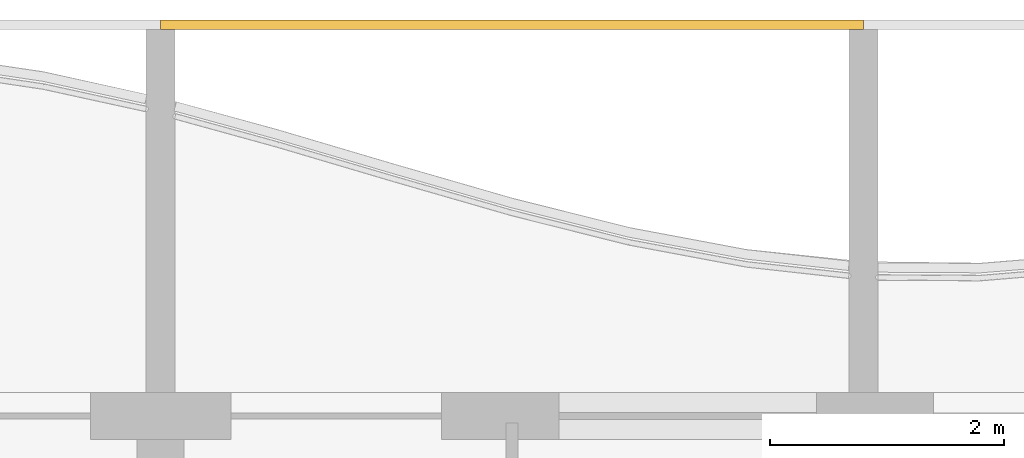
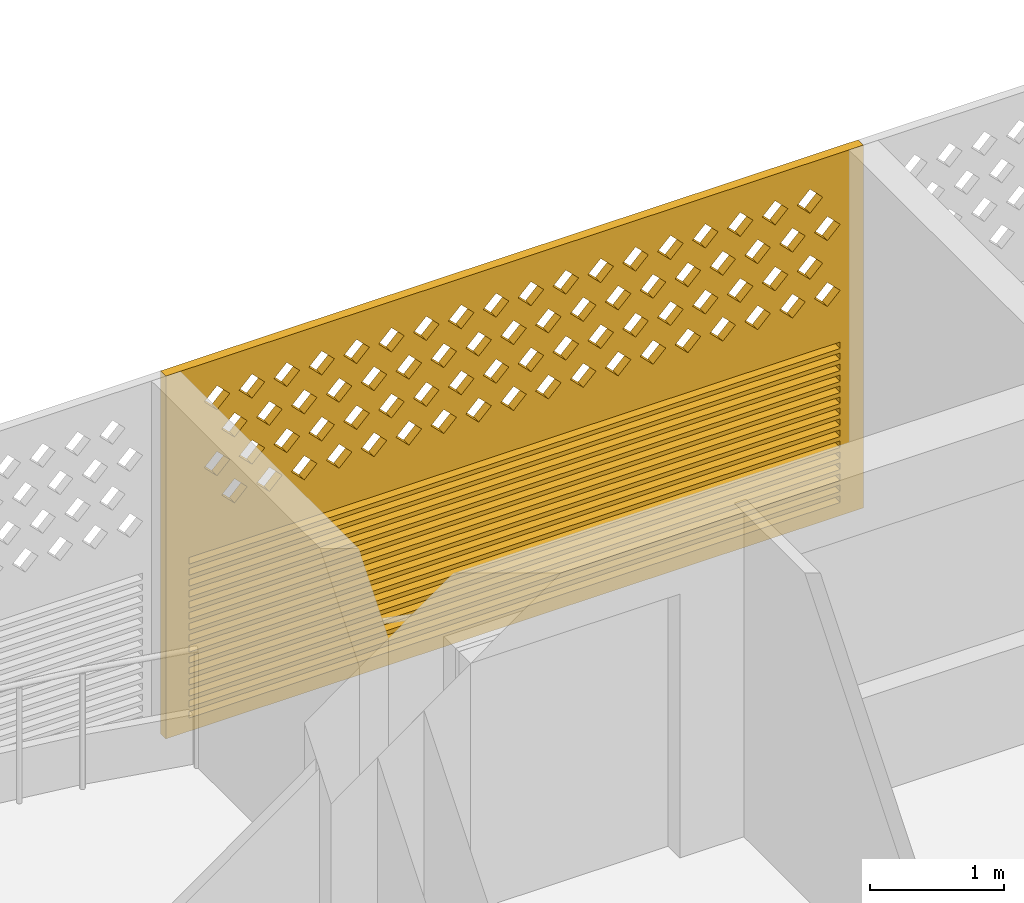
# One storey, part 32 of 39: 1 covering.
"""IFC4 building model written with IfcOpenShell, lengths in metres."""

from ifc_helpers import new_model, si_unit, direction, frame, origin, place, context, subcontext, project, spatial, polyline, outline, extrude, source, transform, mapped, material, material_profile, profile_set, type_object, element, save


model = new_model("IFC4")

# Units and contexts
model_context = context("Model", 3, precision=1e-05, world=origin(), true_north=direction((0.0, 1.0)))
body_context = subcontext(model_context, "Body", "Model", "MODEL_VIEW")
ifc_project = project(units=[si_unit("LENGTHUNIT", "METRE"), si_unit("AREAUNIT", "SQUARE_METRE"), si_unit("VOLUMEUNIT", "CUBIC_METRE"), si_unit("PLANEANGLEUNIT", "RADIAN"), si_unit("MASSUNIT", "GRAM", prefix="KILO")], contexts=[model_context])

# Site, building, storey
site_placement = place(None, origin())
site = spatial("IfcSite", under=ifc_project, at=site_placement, CompositionType="ELEMENT")
building_placement = place(site_placement, origin())
building = spatial("IfcBuilding", under=site, at=building_placement, Name="Poui Terraces", CompositionType="ELEMENT")
storey_placement = place(building_placement, frame((0.0, 0.0, 63.0)))
storey = spatial("IfcBuildingStorey", under=building, at=storey_placement, Name="L17", CompositionType="ELEMENT", Elevation=63.0)

# Covering
ifc_material = material(Name="Terracotta screen", Category="masonry")
ifc_material_profile = material_profile(ifc_material, outline(polyline([(-3.0, -1.64990234375), (3.0, -1.64990234375), (3.0, 1.64990234375), (-3.0, 1.64990234375), (-3.0, -1.64990234375)]), holes=[polyline([(-2.800048828125, 0.39990234375), (-2.68994140625, 0.2900390625), (-2.580078125, 0.39990234375), (-2.68994140625, 0.510009765625), (-2.800048828125, 0.39990234375)]), polyline([(-2.5, 0.39990234375), (-2.389892578125, 0.2900390625), (-2.280029296875, 0.39990234375), (-2.389892578125, 0.510009765625), (-2.5, 0.39990234375)]), polyline([(-2.199951171875, 0.39990234375), (-2.090087890625, 0.2900390625), (-1.97998046875, 0.39990234375), (-2.090087890625, 0.510009765625), (-2.199951171875, 0.39990234375)]), polyline([(-1.89990234375, 0.39990234375), (-1.7900390625, 0.2900390625), (-1.679931640625, 0.39990234375), (-1.7900390625, 0.510009765625), (-1.89990234375, 0.39990234375)]), polyline([(-1.60009765625, 0.39990234375), (-1.489990234375, 0.2900390625), (-1.3798828125, 0.39990234375), (-1.489990234375, 0.510009765625), (-1.60009765625, 0.39990234375)]), polyline([(-1.300048828125, 0.39990234375), (-1.18994140625, 0.2900390625), (-1.080078125, 0.39990234375), (-1.18994140625, 0.510009765625), (-1.300048828125, 0.39990234375)]), polyline([(-1.0, 0.39990234375), (-0.889892578125, 0.2900390625), (-0.780029296875, 0.39990234375), (-0.889892578125, 0.510009765625), (-1.0, 0.39990234375)]), polyline([(-0.699951171875, 0.39990234375), (-0.590087890625, 0.2900390625), (-0.47998046875, 0.39990234375), (-0.590087890625, 0.510009765625), (-0.699951171875, 0.39990234375)]), polyline([(-0.39990234375, 0.39990234375), (-0.2900390625, 0.2900390625), (-0.179931640625, 0.39990234375), (-0.2900390625, 0.510009765625), (-0.39990234375, 0.39990234375)]), polyline([(-0.10009765625, 0.39990234375), (0.010009765625, 0.2900390625), (0.1201171875, 0.39990234375), (0.010009765625, 0.510009765625), (-0.10009765625, 0.39990234375)]), polyline([(0.199951171875, 0.39990234375), (0.31005859375, 0.2900390625), (0.419921875, 0.39990234375), (0.31005859375, 0.510009765625), (0.199951171875, 0.39990234375)]), polyline([(0.5, 0.39990234375), (0.610107421875, 0.2900390625), (0.719970703125, 0.39990234375), (0.610107421875, 0.510009765625), (0.5, 0.39990234375)]), polyline([(0.800048828125, 0.39990234375), (0.909912109375, 0.2900390625), (1.02001953125, 0.39990234375), (0.909912109375, 0.510009765625), (0.800048828125, 0.39990234375)]), polyline([(1.10009765625, 0.39990234375), (1.2099609375, 0.2900390625), (1.320068359375, 0.39990234375), (1.2099609375, 0.510009765625), (1.10009765625, 0.39990234375)]), polyline([(1.39990234375, 0.39990234375), (1.510009765625, 0.2900390625), (1.6201171875, 0.39990234375), (1.510009765625, 0.510009765625), (1.39990234375, 0.39990234375)]), polyline([(1.699951171875, 0.39990234375), (1.81005859375, 0.2900390625), (1.919921875, 0.39990234375), (1.81005859375, 0.510009765625), (1.699951171875, 0.39990234375)]), polyline([(2.0, 0.39990234375), (2.110107421875, 0.2900390625), (2.219970703125, 0.39990234375), (2.110107421875, 0.510009765625), (2.0, 0.39990234375)]), polyline([(2.300048828125, 0.39990234375), (2.409912109375, 0.2900390625), (2.52001953125, 0.39990234375), (2.409912109375, 0.510009765625), (2.300048828125, 0.39990234375)]), polyline([(-2.64990234375, 0.699951171875), (-2.5400390625, 0.590087890625), (-2.429931640625, 0.699951171875), (-2.5400390625, 0.81005859375), (-2.64990234375, 0.699951171875)]), polyline([(-2.35009765625, 0.699951171875), (-2.239990234375, 0.590087890625), (-2.1298828125, 0.699951171875), (-2.239990234375, 0.81005859375), (-2.35009765625, 0.699951171875)]), polyline([(-2.050048828125, 0.699951171875), (-1.93994140625, 0.590087890625), (-1.830078125, 0.699951171875), (-1.93994140625, 0.81005859375), (-2.050048828125, 0.699951171875)]), polyline([(-1.75, 0.699951171875), (-1.639892578125, 0.590087890625), (-1.530029296875, 0.699951171875), (-1.639892578125, 0.81005859375), (-1.75, 0.699951171875)]), polyline([(-1.449951171875, 0.699951171875), (-1.340087890625, 0.590087890625), (-1.22998046875, 0.699951171875), (-1.340087890625, 0.81005859375), (-1.449951171875, 0.699951171875)]), polyline([(-1.14990234375, 0.699951171875), (-1.0400390625, 0.590087890625), (-0.929931640625, 0.699951171875), (-1.0400390625, 0.81005859375), (-1.14990234375, 0.699951171875)]), polyline([(-0.85009765625, 0.699951171875), (-0.739990234375, 0.590087890625), (-0.6298828125, 0.699951171875), (-0.739990234375, 0.81005859375), (-0.85009765625, 0.699951171875)]), polyline([(-0.550048828125, 0.699951171875), (-0.43994140625, 0.590087890625), (-0.330078125, 0.699951171875), (-0.43994140625, 0.81005859375), (-0.550048828125, 0.699951171875)]), polyline([(-0.25, 0.699951171875), (-0.139892578125, 0.590087890625), (-0.030029296875, 0.699951171875), (-0.139892578125, 0.81005859375), (-0.25, 0.699951171875)]), polyline([(0.050048828125, 0.699951171875), (0.159912109375, 0.590087890625), (0.27001953125, 0.699951171875), (0.159912109375, 0.81005859375), (0.050048828125, 0.699951171875)]), polyline([(0.35009765625, 0.699951171875), (0.4599609375, 0.590087890625), (0.570068359375, 0.699951171875), (0.4599609375, 0.81005859375), (0.35009765625, 0.699951171875)]), polyline([(0.64990234375, 0.699951171875), (0.760009765625, 0.590087890625), (0.8701171875, 0.699951171875), (0.760009765625, 0.81005859375), (0.64990234375, 0.699951171875)]), polyline([(0.949951171875, 0.699951171875), (1.06005859375, 0.590087890625), (1.169921875, 0.699951171875), (1.06005859375, 0.81005859375), (0.949951171875, 0.699951171875)]), polyline([(1.25, 0.699951171875), (1.360107421875, 0.590087890625), (1.469970703125, 0.699951171875), (1.360107421875, 0.81005859375), (1.25, 0.699951171875)]), polyline([(1.550048828125, 0.699951171875), (1.659912109375, 0.590087890625), (1.77001953125, 0.699951171875), (1.659912109375, 0.81005859375), (1.550048828125, 0.699951171875)]), polyline([(1.85009765625, 0.699951171875), (1.9599609375, 0.590087890625), (2.070068359375, 0.699951171875), (1.9599609375, 0.81005859375), (1.85009765625, 0.699951171875)]), polyline([(2.14990234375, 0.699951171875), (2.260009765625, 0.590087890625), (2.3701171875, 0.699951171875), (2.260009765625, 0.81005859375), (2.14990234375, 0.699951171875)]), polyline([(2.449951171875, 0.699951171875), (2.56005859375, 0.590087890625), (2.669921875, 0.699951171875), (2.56005859375, 0.81005859375), (2.449951171875, 0.699951171875)]), polyline([(-2.800048828125, 1.0), (-2.68994140625, 0.889892578125), (-2.580078125, 1.0), (-2.68994140625, 1.110107421875), (-2.800048828125, 1.0)]), polyline([(-2.5, 1.0), (-2.389892578125, 0.889892578125), (-2.280029296875, 1.0), (-2.389892578125, 1.110107421875), (-2.5, 1.0)]), polyline([(-2.199951171875, 1.0), (-2.090087890625, 0.889892578125), (-1.97998046875, 1.0), (-2.090087890625, 1.110107421875), (-2.199951171875, 1.0)]), polyline([(-1.89990234375, 1.0), (-1.7900390625, 0.889892578125), (-1.679931640625, 1.0), (-1.7900390625, 1.110107421875), (-1.89990234375, 1.0)]), polyline([(-1.60009765625, 1.0), (-1.489990234375, 0.889892578125), (-1.3798828125, 1.0), (-1.489990234375, 1.110107421875), (-1.60009765625, 1.0)]), polyline([(-1.300048828125, 1.0), (-1.18994140625, 0.889892578125), (-1.080078125, 1.0), (-1.18994140625, 1.110107421875), (-1.300048828125, 1.0)]), polyline([(-1.0, 1.0), (-0.889892578125, 0.889892578125), (-0.780029296875, 1.0), (-0.889892578125, 1.110107421875), (-1.0, 1.0)]), polyline([(-0.699951171875, 1.0), (-0.590087890625, 0.889892578125), (-0.47998046875, 1.0), (-0.590087890625, 1.110107421875), (-0.699951171875, 1.0)]), polyline([(-0.39990234375, 1.0), (-0.2900390625, 0.889892578125), (-0.179931640625, 1.0), (-0.2900390625, 1.110107421875), (-0.39990234375, 1.0)]), polyline([(-0.10009765625, 1.0), (0.010009765625, 0.889892578125), (0.1201171875, 1.0), (0.010009765625, 1.110107421875), (-0.10009765625, 1.0)]), polyline([(0.199951171875, 1.0), (0.31005859375, 0.889892578125), (0.419921875, 1.0), (0.31005859375, 1.110107421875), (0.199951171875, 1.0)]), polyline([(0.5, 1.0), (0.610107421875, 0.889892578125), (0.719970703125, 1.0), (0.610107421875, 1.110107421875), (0.5, 1.0)]), polyline([(0.800048828125, 1.0), (0.909912109375, 0.889892578125), (1.02001953125, 1.0), (0.909912109375, 1.110107421875), (0.800048828125, 1.0)]), polyline([(1.10009765625, 1.0), (1.2099609375, 0.889892578125), (1.320068359375, 1.0), (1.2099609375, 1.110107421875), (1.10009765625, 1.0)]), polyline([(1.39990234375, 1.0), (1.510009765625, 0.889892578125), (1.6201171875, 1.0), (1.510009765625, 1.110107421875), (1.39990234375, 1.0)]), polyline([(1.699951171875, 1.0), (1.81005859375, 0.889892578125), (1.919921875, 1.0), (1.81005859375, 1.110107421875), (1.699951171875, 1.0)]), polyline([(2.0, 1.0), (2.110107421875, 0.889892578125), (2.219970703125, 1.0), (2.110107421875, 1.110107421875), (2.0, 1.0)]), polyline([(2.300048828125, 1.0), (2.409912109375, 0.889892578125), (2.52001953125, 1.0), (2.409912109375, 1.110107421875), (2.300048828125, 1.0)]), polyline([(-2.64990234375, 1.300048828125), (-2.5400390625, 1.18994140625), (-2.429931640625, 1.300048828125), (-2.5400390625, 1.409912109375), (-2.64990234375, 1.300048828125)]), polyline([(-2.35009765625, 1.300048828125), (-2.239990234375, 1.18994140625), (-2.1298828125, 1.300048828125), (-2.239990234375, 1.409912109375), (-2.35009765625, 1.300048828125)]), polyline([(-2.050048828125, 1.300048828125), (-1.93994140625, 1.18994140625), (-1.830078125, 1.300048828125), (-1.93994140625, 1.409912109375), (-2.050048828125, 1.300048828125)]), polyline([(-1.75, 1.300048828125), (-1.639892578125, 1.18994140625), (-1.530029296875, 1.300048828125), (-1.639892578125, 1.409912109375), (-1.75, 1.300048828125)]), polyline([(-1.449951171875, 1.300048828125), (-1.340087890625, 1.18994140625), (-1.22998046875, 1.300048828125), (-1.340087890625, 1.409912109375), (-1.449951171875, 1.300048828125)]), polyline([(-1.14990234375, 1.300048828125), (-1.0400390625, 1.18994140625), (-0.929931640625, 1.300048828125), (-1.0400390625, 1.409912109375), (-1.14990234375, 1.300048828125)]), polyline([(-0.85009765625, 1.300048828125), (-0.739990234375, 1.18994140625), (-0.6298828125, 1.300048828125), (-0.739990234375, 1.409912109375), (-0.85009765625, 1.300048828125)]), polyline([(-0.550048828125, 1.300048828125), (-0.43994140625, 1.18994140625), (-0.330078125, 1.300048828125), (-0.43994140625, 1.409912109375), (-0.550048828125, 1.300048828125)]), polyline([(-0.25, 1.300048828125), (-0.139892578125, 1.18994140625), (-0.030029296875, 1.300048828125), (-0.139892578125, 1.409912109375), (-0.25, 1.300048828125)]), polyline([(0.050048828125, 1.300048828125), (0.159912109375, 1.18994140625), (0.27001953125, 1.300048828125), (0.159912109375, 1.409912109375), (0.050048828125, 1.300048828125)]), polyline([(0.35009765625, 1.300048828125), (0.4599609375, 1.18994140625), (0.570068359375, 1.300048828125), (0.4599609375, 1.409912109375), (0.35009765625, 1.300048828125)]), polyline([(0.64990234375, 1.300048828125), (0.760009765625, 1.18994140625), (0.8701171875, 1.300048828125), (0.760009765625, 1.409912109375), (0.64990234375, 1.300048828125)]), polyline([(0.949951171875, 1.300048828125), (1.06005859375, 1.18994140625), (1.169921875, 1.300048828125), (1.06005859375, 1.409912109375), (0.949951171875, 1.300048828125)]), polyline([(1.25, 1.300048828125), (1.360107421875, 1.18994140625), (1.469970703125, 1.300048828125), (1.360107421875, 1.409912109375), (1.25, 1.300048828125)]), polyline([(1.550048828125, 1.300048828125), (1.659912109375, 1.18994140625), (1.77001953125, 1.300048828125), (1.659912109375, 1.409912109375), (1.550048828125, 1.300048828125)]), polyline([(1.85009765625, 1.300048828125), (1.9599609375, 1.18994140625), (2.070068359375, 1.300048828125), (1.9599609375, 1.409912109375), (1.85009765625, 1.300048828125)]), polyline([(2.14990234375, 1.300048828125), (2.260009765625, 1.18994140625), (2.3701171875, 1.300048828125), (2.260009765625, 1.409912109375), (2.14990234375, 1.300048828125)]), polyline([(2.449951171875, 1.300048828125), (2.56005859375, 1.18994140625), (2.669921875, 1.300048828125), (2.56005859375, 1.409912109375), (2.449951171875, 1.300048828125)]), polyline([(-2.800048828125, -1.530029296875), (2.800048828125, -1.530029296875), (2.800048828125, -1.469970703125), (-2.800048828125, -1.469970703125), (-2.800048828125, -1.530029296875)]), polyline([(-2.800048828125, -1.429931640625), (2.800048828125, -1.429931640625), (2.800048828125, -1.3701171875), (-2.800048828125, -1.3701171875), (-2.800048828125, -1.429931640625)]), polyline([(-2.800048828125, -1.330078125), (2.800048828125, -1.330078125), (2.800048828125, -1.27001953125), (-2.800048828125, -1.27001953125), (-2.800048828125, -1.330078125)]), polyline([(-2.800048828125, -1.22998046875), (2.800048828125, -1.22998046875), (2.800048828125, -1.169921875), (-2.800048828125, -1.169921875), (-2.800048828125, -1.22998046875)]), polyline([(-2.800048828125, -1.1298828125), (2.800048828125, -1.1298828125), (2.800048828125, -1.070068359375), (-2.800048828125, -1.070068359375), (-2.800048828125, -1.1298828125)]), polyline([(-2.800048828125, -1.030029296875), (2.800048828125, -1.030029296875), (2.800048828125, -0.969970703125), (-2.800048828125, -0.969970703125), (-2.800048828125, -1.030029296875)]), polyline([(-2.800048828125, -0.929931640625), (2.800048828125, -0.929931640625), (2.800048828125, -0.8701171875), (-2.800048828125, -0.8701171875), (-2.800048828125, -0.929931640625)]), polyline([(-2.800048828125, -0.830078125), (2.800048828125, -0.830078125), (2.800048828125, -0.77001953125), (-2.800048828125, -0.77001953125), (-2.800048828125, -0.830078125)]), polyline([(-2.800048828125, -0.72998046875), (2.800048828125, -0.72998046875), (2.800048828125, -0.669921875), (-2.800048828125, -0.669921875), (-2.800048828125, -0.72998046875)]), polyline([(-2.800048828125, -0.6298828125), (2.800048828125, -0.6298828125), (2.800048828125, -0.570068359375), (-2.800048828125, -0.570068359375), (-2.800048828125, -0.6298828125)]), polyline([(-2.800048828125, -0.530029296875), (2.800048828125, -0.530029296875), (2.800048828125, -0.469970703125), (-2.800048828125, -0.469970703125), (-2.800048828125, -0.530029296875)]), polyline([(-2.800048828125, -0.429931640625), (2.800048828125, -0.429931640625), (2.800048828125, -0.3701171875), (-2.800048828125, -0.3701171875), (-2.800048828125, -0.429931640625)]), polyline([(-2.800048828125, -0.330078125), (2.800048828125, -0.330078125), (2.800048828125, -0.27001953125), (-2.800048828125, -0.27001953125), (-2.800048828125, -0.330078125)]), polyline([(-2.800048828125, -0.22998046875), (2.800048828125, -0.22998046875), (2.800048828125, -0.169921875), (-2.800048828125, -0.169921875), (-2.800048828125, -0.22998046875)]), polyline([(-2.800048828125, -0.1298828125), (2.800048828125, -0.1298828125), (2.800048828125, -0.070068359375), (-2.800048828125, -0.070068359375), (-2.800048828125, -0.1298828125)])]), Name="TERRACOTTA SCREEN AND JALOUSIE LOUVRE 6000X3300")
ifc_profile_set = profile_set([ifc_material_profile], Name="Terracotta screen")
covering_type = type_object("IfcCoveringType", Name="TERRACOTTA SCREEN AND JALOUSIE LOUVRE 6000X3300", PredefinedType="CLADDING", material=ifc_profile_set)
shared_shape = source(origin(), body_context, "Body", "SweptSolid", [
    extrude(outline(polyline([(-3.0, -1.64990234375), (3.0, -1.64990234375), (3.0, 1.64990234375), (-3.0, 1.64990234375), (-3.0, -1.64990234375)]), holes=[polyline([(-2.800048828125, 0.39990234375), (-2.68994140625, 0.2900390625), (-2.580078125, 0.39990234375), (-2.68994140625, 0.510009765625), (-2.800048828125, 0.39990234375)]), polyline([(-2.5, 0.39990234375), (-2.389892578125, 0.2900390625), (-2.280029296875, 0.39990234375), (-2.389892578125, 0.510009765625), (-2.5, 0.39990234375)]), polyline([(-2.199951171875, 0.39990234375), (-2.090087890625, 0.2900390625), (-1.97998046875, 0.39990234375), (-2.090087890625, 0.510009765625), (-2.199951171875, 0.39990234375)]), polyline([(-1.89990234375, 0.39990234375), (-1.7900390625, 0.2900390625), (-1.679931640625, 0.39990234375), (-1.7900390625, 0.510009765625), (-1.89990234375, 0.39990234375)]), polyline([(-1.60009765625, 0.39990234375), (-1.489990234375, 0.2900390625), (-1.3798828125, 0.39990234375), (-1.489990234375, 0.510009765625), (-1.60009765625, 0.39990234375)]), polyline([(-1.300048828125, 0.39990234375), (-1.18994140625, 0.2900390625), (-1.080078125, 0.39990234375), (-1.18994140625, 0.510009765625), (-1.300048828125, 0.39990234375)]), polyline([(-1.0, 0.39990234375), (-0.889892578125, 0.2900390625), (-0.780029296875, 0.39990234375), (-0.889892578125, 0.510009765625), (-1.0, 0.39990234375)]), polyline([(-0.699951171875, 0.39990234375), (-0.590087890625, 0.2900390625), (-0.47998046875, 0.39990234375), (-0.590087890625, 0.510009765625), (-0.699951171875, 0.39990234375)]), polyline([(-0.39990234375, 0.39990234375), (-0.2900390625, 0.2900390625), (-0.179931640625, 0.39990234375), (-0.2900390625, 0.510009765625), (-0.39990234375, 0.39990234375)]), polyline([(-0.10009765625, 0.39990234375), (0.010009765625, 0.2900390625), (0.1201171875, 0.39990234375), (0.010009765625, 0.510009765625), (-0.10009765625, 0.39990234375)]), polyline([(0.199951171875, 0.39990234375), (0.31005859375, 0.2900390625), (0.419921875, 0.39990234375), (0.31005859375, 0.510009765625), (0.199951171875, 0.39990234375)]), polyline([(0.5, 0.39990234375), (0.610107421875, 0.2900390625), (0.719970703125, 0.39990234375), (0.610107421875, 0.510009765625), (0.5, 0.39990234375)]), polyline([(0.800048828125, 0.39990234375), (0.909912109375, 0.2900390625), (1.02001953125, 0.39990234375), (0.909912109375, 0.510009765625), (0.800048828125, 0.39990234375)]), polyline([(1.10009765625, 0.39990234375), (1.2099609375, 0.2900390625), (1.320068359375, 0.39990234375), (1.2099609375, 0.510009765625), (1.10009765625, 0.39990234375)]), polyline([(1.39990234375, 0.39990234375), (1.510009765625, 0.2900390625), (1.6201171875, 0.39990234375), (1.510009765625, 0.510009765625), (1.39990234375, 0.39990234375)]), polyline([(1.699951171875, 0.39990234375), (1.81005859375, 0.2900390625), (1.919921875, 0.39990234375), (1.81005859375, 0.510009765625), (1.699951171875, 0.39990234375)]), polyline([(2.0, 0.39990234375), (2.110107421875, 0.2900390625), (2.219970703125, 0.39990234375), (2.110107421875, 0.510009765625), (2.0, 0.39990234375)]), polyline([(2.300048828125, 0.39990234375), (2.409912109375, 0.2900390625), (2.52001953125, 0.39990234375), (2.409912109375, 0.510009765625), (2.300048828125, 0.39990234375)]), polyline([(-2.64990234375, 0.699951171875), (-2.5400390625, 0.590087890625), (-2.429931640625, 0.699951171875), (-2.5400390625, 0.81005859375), (-2.64990234375, 0.699951171875)]), polyline([(-2.35009765625, 0.699951171875), (-2.239990234375, 0.590087890625), (-2.1298828125, 0.699951171875), (-2.239990234375, 0.81005859375), (-2.35009765625, 0.699951171875)]), polyline([(-2.050048828125, 0.699951171875), (-1.93994140625, 0.590087890625), (-1.830078125, 0.699951171875), (-1.93994140625, 0.81005859375), (-2.050048828125, 0.699951171875)]), polyline([(-1.75, 0.699951171875), (-1.639892578125, 0.590087890625), (-1.530029296875, 0.699951171875), (-1.639892578125, 0.81005859375), (-1.75, 0.699951171875)]), polyline([(-1.449951171875, 0.699951171875), (-1.340087890625, 0.590087890625), (-1.22998046875, 0.699951171875), (-1.340087890625, 0.81005859375), (-1.449951171875, 0.699951171875)]), polyline([(-1.14990234375, 0.699951171875), (-1.0400390625, 0.590087890625), (-0.929931640625, 0.699951171875), (-1.0400390625, 0.81005859375), (-1.14990234375, 0.699951171875)]), polyline([(-0.85009765625, 0.699951171875), (-0.739990234375, 0.590087890625), (-0.6298828125, 0.699951171875), (-0.739990234375, 0.81005859375), (-0.85009765625, 0.699951171875)]), polyline([(-0.550048828125, 0.699951171875), (-0.43994140625, 0.590087890625), (-0.330078125, 0.699951171875), (-0.43994140625, 0.81005859375), (-0.550048828125, 0.699951171875)]), polyline([(-0.25, 0.699951171875), (-0.139892578125, 0.590087890625), (-0.030029296875, 0.699951171875), (-0.139892578125, 0.81005859375), (-0.25, 0.699951171875)]), polyline([(0.050048828125, 0.699951171875), (0.159912109375, 0.590087890625), (0.27001953125, 0.699951171875), (0.159912109375, 0.81005859375), (0.050048828125, 0.699951171875)]), polyline([(0.35009765625, 0.699951171875), (0.4599609375, 0.590087890625), (0.570068359375, 0.699951171875), (0.4599609375, 0.81005859375), (0.35009765625, 0.699951171875)]), polyline([(0.64990234375, 0.699951171875), (0.760009765625, 0.590087890625), (0.8701171875, 0.699951171875), (0.760009765625, 0.81005859375), (0.64990234375, 0.699951171875)]), polyline([(0.949951171875, 0.699951171875), (1.06005859375, 0.590087890625), (1.169921875, 0.699951171875), (1.06005859375, 0.81005859375), (0.949951171875, 0.699951171875)]), polyline([(1.25, 0.699951171875), (1.360107421875, 0.590087890625), (1.469970703125, 0.699951171875), (1.360107421875, 0.81005859375), (1.25, 0.699951171875)]), polyline([(1.550048828125, 0.699951171875), (1.659912109375, 0.590087890625), (1.77001953125, 0.699951171875), (1.659912109375, 0.81005859375), (1.550048828125, 0.699951171875)]), polyline([(1.85009765625, 0.699951171875), (1.9599609375, 0.590087890625), (2.070068359375, 0.699951171875), (1.9599609375, 0.81005859375), (1.85009765625, 0.699951171875)]), polyline([(2.14990234375, 0.699951171875), (2.260009765625, 0.590087890625), (2.3701171875, 0.699951171875), (2.260009765625, 0.81005859375), (2.14990234375, 0.699951171875)]), polyline([(2.449951171875, 0.699951171875), (2.56005859375, 0.590087890625), (2.669921875, 0.699951171875), (2.56005859375, 0.81005859375), (2.449951171875, 0.699951171875)]), polyline([(-2.800048828125, 1.0), (-2.68994140625, 0.889892578125), (-2.580078125, 1.0), (-2.68994140625, 1.110107421875), (-2.800048828125, 1.0)]), polyline([(-2.5, 1.0), (-2.389892578125, 0.889892578125), (-2.280029296875, 1.0), (-2.389892578125, 1.110107421875), (-2.5, 1.0)]), polyline([(-2.199951171875, 1.0), (-2.090087890625, 0.889892578125), (-1.97998046875, 1.0), (-2.090087890625, 1.110107421875), (-2.199951171875, 1.0)]), polyline([(-1.89990234375, 1.0), (-1.7900390625, 0.889892578125), (-1.679931640625, 1.0), (-1.7900390625, 1.110107421875), (-1.89990234375, 1.0)]), polyline([(-1.60009765625, 1.0), (-1.489990234375, 0.889892578125), (-1.3798828125, 1.0), (-1.489990234375, 1.110107421875), (-1.60009765625, 1.0)]), polyline([(-1.300048828125, 1.0), (-1.18994140625, 0.889892578125), (-1.080078125, 1.0), (-1.18994140625, 1.110107421875), (-1.300048828125, 1.0)]), polyline([(-1.0, 1.0), (-0.889892578125, 0.889892578125), (-0.780029296875, 1.0), (-0.889892578125, 1.110107421875), (-1.0, 1.0)]), polyline([(-0.699951171875, 1.0), (-0.590087890625, 0.889892578125), (-0.47998046875, 1.0), (-0.590087890625, 1.110107421875), (-0.699951171875, 1.0)]), polyline([(-0.39990234375, 1.0), (-0.2900390625, 0.889892578125), (-0.179931640625, 1.0), (-0.2900390625, 1.110107421875), (-0.39990234375, 1.0)]), polyline([(-0.10009765625, 1.0), (0.010009765625, 0.889892578125), (0.1201171875, 1.0), (0.010009765625, 1.110107421875), (-0.10009765625, 1.0)]), polyline([(0.199951171875, 1.0), (0.31005859375, 0.889892578125), (0.419921875, 1.0), (0.31005859375, 1.110107421875), (0.199951171875, 1.0)]), polyline([(0.5, 1.0), (0.610107421875, 0.889892578125), (0.719970703125, 1.0), (0.610107421875, 1.110107421875), (0.5, 1.0)]), polyline([(0.800048828125, 1.0), (0.909912109375, 0.889892578125), (1.02001953125, 1.0), (0.909912109375, 1.110107421875), (0.800048828125, 1.0)]), polyline([(1.10009765625, 1.0), (1.2099609375, 0.889892578125), (1.320068359375, 1.0), (1.2099609375, 1.110107421875), (1.10009765625, 1.0)]), polyline([(1.39990234375, 1.0), (1.510009765625, 0.889892578125), (1.6201171875, 1.0), (1.510009765625, 1.110107421875), (1.39990234375, 1.0)]), polyline([(1.699951171875, 1.0), (1.81005859375, 0.889892578125), (1.919921875, 1.0), (1.81005859375, 1.110107421875), (1.699951171875, 1.0)]), polyline([(2.0, 1.0), (2.110107421875, 0.889892578125), (2.219970703125, 1.0), (2.110107421875, 1.110107421875), (2.0, 1.0)]), polyline([(2.300048828125, 1.0), (2.409912109375, 0.889892578125), (2.52001953125, 1.0), (2.409912109375, 1.110107421875), (2.300048828125, 1.0)]), polyline([(-2.64990234375, 1.300048828125), (-2.5400390625, 1.18994140625), (-2.429931640625, 1.300048828125), (-2.5400390625, 1.409912109375), (-2.64990234375, 1.300048828125)]), polyline([(-2.35009765625, 1.300048828125), (-2.239990234375, 1.18994140625), (-2.1298828125, 1.300048828125), (-2.239990234375, 1.409912109375), (-2.35009765625, 1.300048828125)]), polyline([(-2.050048828125, 1.300048828125), (-1.93994140625, 1.18994140625), (-1.830078125, 1.300048828125), (-1.93994140625, 1.409912109375), (-2.050048828125, 1.300048828125)]), polyline([(-1.75, 1.300048828125), (-1.639892578125, 1.18994140625), (-1.530029296875, 1.300048828125), (-1.639892578125, 1.409912109375), (-1.75, 1.300048828125)]), polyline([(-1.449951171875, 1.300048828125), (-1.340087890625, 1.18994140625), (-1.22998046875, 1.300048828125), (-1.340087890625, 1.409912109375), (-1.449951171875, 1.300048828125)]), polyline([(-1.14990234375, 1.300048828125), (-1.0400390625, 1.18994140625), (-0.929931640625, 1.300048828125), (-1.0400390625, 1.409912109375), (-1.14990234375, 1.300048828125)]), polyline([(-0.85009765625, 1.300048828125), (-0.739990234375, 1.18994140625), (-0.6298828125, 1.300048828125), (-0.739990234375, 1.409912109375), (-0.85009765625, 1.300048828125)]), polyline([(-0.550048828125, 1.300048828125), (-0.43994140625, 1.18994140625), (-0.330078125, 1.300048828125), (-0.43994140625, 1.409912109375), (-0.550048828125, 1.300048828125)]), polyline([(-0.25, 1.300048828125), (-0.139892578125, 1.18994140625), (-0.030029296875, 1.300048828125), (-0.139892578125, 1.409912109375), (-0.25, 1.300048828125)]), polyline([(0.050048828125, 1.300048828125), (0.159912109375, 1.18994140625), (0.27001953125, 1.300048828125), (0.159912109375, 1.409912109375), (0.050048828125, 1.300048828125)]), polyline([(0.35009765625, 1.300048828125), (0.4599609375, 1.18994140625), (0.570068359375, 1.300048828125), (0.4599609375, 1.409912109375), (0.35009765625, 1.300048828125)]), polyline([(0.64990234375, 1.300048828125), (0.760009765625, 1.18994140625), (0.8701171875, 1.300048828125), (0.760009765625, 1.409912109375), (0.64990234375, 1.300048828125)]), polyline([(0.949951171875, 1.300048828125), (1.06005859375, 1.18994140625), (1.169921875, 1.300048828125), (1.06005859375, 1.409912109375), (0.949951171875, 1.300048828125)]), polyline([(1.25, 1.300048828125), (1.360107421875, 1.18994140625), (1.469970703125, 1.300048828125), (1.360107421875, 1.409912109375), (1.25, 1.300048828125)]), polyline([(1.550048828125, 1.300048828125), (1.659912109375, 1.18994140625), (1.77001953125, 1.300048828125), (1.659912109375, 1.409912109375), (1.550048828125, 1.300048828125)]), polyline([(1.85009765625, 1.300048828125), (1.9599609375, 1.18994140625), (2.070068359375, 1.300048828125), (1.9599609375, 1.409912109375), (1.85009765625, 1.300048828125)]), polyline([(2.14990234375, 1.300048828125), (2.260009765625, 1.18994140625), (2.3701171875, 1.300048828125), (2.260009765625, 1.409912109375), (2.14990234375, 1.300048828125)]), polyline([(2.449951171875, 1.300048828125), (2.56005859375, 1.18994140625), (2.669921875, 1.300048828125), (2.56005859375, 1.409912109375), (2.449951171875, 1.300048828125)]), polyline([(-2.800048828125, -1.530029296875), (2.800048828125, -1.530029296875), (2.800048828125, -1.469970703125), (-2.800048828125, -1.469970703125), (-2.800048828125, -1.530029296875)]), polyline([(-2.800048828125, -1.429931640625), (2.800048828125, -1.429931640625), (2.800048828125, -1.3701171875), (-2.800048828125, -1.3701171875), (-2.800048828125, -1.429931640625)]), polyline([(-2.800048828125, -1.330078125), (2.800048828125, -1.330078125), (2.800048828125, -1.27001953125), (-2.800048828125, -1.27001953125), (-2.800048828125, -1.330078125)]), polyline([(-2.800048828125, -1.22998046875), (2.800048828125, -1.22998046875), (2.800048828125, -1.169921875), (-2.800048828125, -1.169921875), (-2.800048828125, -1.22998046875)]), polyline([(-2.800048828125, -1.1298828125), (2.800048828125, -1.1298828125), (2.800048828125, -1.070068359375), (-2.800048828125, -1.070068359375), (-2.800048828125, -1.1298828125)]), polyline([(-2.800048828125, -1.030029296875), (2.800048828125, -1.030029296875), (2.800048828125, -0.969970703125), (-2.800048828125, -0.969970703125), (-2.800048828125, -1.030029296875)]), polyline([(-2.800048828125, -0.929931640625), (2.800048828125, -0.929931640625), (2.800048828125, -0.8701171875), (-2.800048828125, -0.8701171875), (-2.800048828125, -0.929931640625)]), polyline([(-2.800048828125, -0.830078125), (2.800048828125, -0.830078125), (2.800048828125, -0.77001953125), (-2.800048828125, -0.77001953125), (-2.800048828125, -0.830078125)]), polyline([(-2.800048828125, -0.72998046875), (2.800048828125, -0.72998046875), (2.800048828125, -0.669921875), (-2.800048828125, -0.669921875), (-2.800048828125, -0.72998046875)]), polyline([(-2.800048828125, -0.6298828125), (2.800048828125, -0.6298828125), (2.800048828125, -0.570068359375), (-2.800048828125, -0.570068359375), (-2.800048828125, -0.6298828125)]), polyline([(-2.800048828125, -0.530029296875), (2.800048828125, -0.530029296875), (2.800048828125, -0.469970703125), (-2.800048828125, -0.469970703125), (-2.800048828125, -0.530029296875)]), polyline([(-2.800048828125, -0.429931640625), (2.800048828125, -0.429931640625), (2.800048828125, -0.3701171875), (-2.800048828125, -0.3701171875), (-2.800048828125, -0.429931640625)]), polyline([(-2.800048828125, -0.330078125), (2.800048828125, -0.330078125), (2.800048828125, -0.27001953125), (-2.800048828125, -0.27001953125), (-2.800048828125, -0.330078125)]), polyline([(-2.800048828125, -0.22998046875), (2.800048828125, -0.22998046875), (2.800048828125, -0.169921875), (-2.800048828125, -0.169921875), (-2.800048828125, -0.22998046875)]), polyline([(-2.800048828125, -0.1298828125), (2.800048828125, -0.1298828125), (2.800048828125, -0.070068359375), (-2.800048828125, -0.070068359375), (-2.800048828125, -0.1298828125)])]), origin(), (0.0, 0.0, 1.0), 0.079833984375),
])
covering_placement = place(storey_placement, frame((63.0, 48.10009765625, 1.449951171875), z_axis=(0.0, 1.0, 0.0), x_axis=(-1.0, 0.0, 0.0)))
element("IfcCovering", 1, at=covering_placement, inside=storey, type_object=covering_type, Name="SOLAR SCREEN AND JALOUSIE LOUVRE", PredefinedType="CLADDING", context=body_context, shape_type="MappedRepresentation", body=[
    mapped(shared_shape, transform((0.0, 0.0, 0.0))),
])

save(model, "model.ifc")
